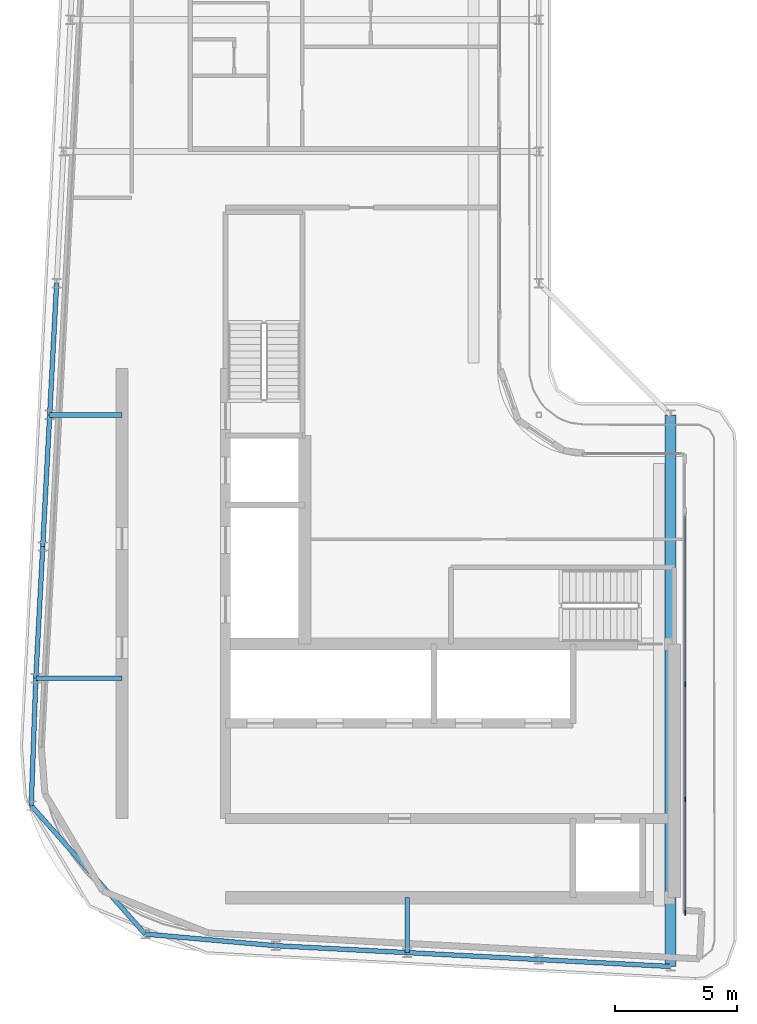
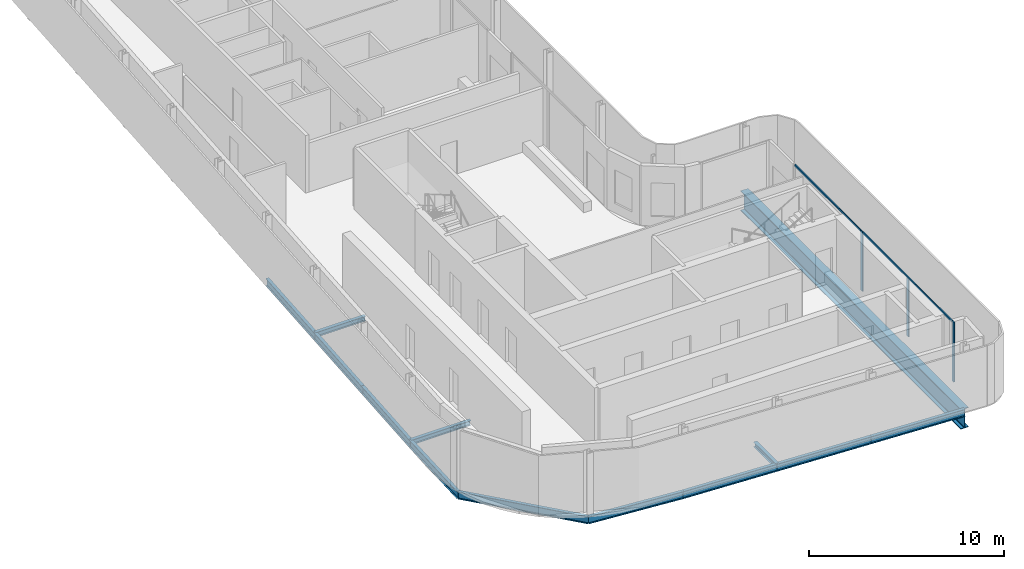
# One storey, part 4 of 17: 13 beams, 5 members, 2 elements without a shape of their own.
"""IFC4 building model written with IfcOpenShell, lengths in metres."""

from ifc_helpers import new_model, si_unit, direction, frame, origin, origin_2d, place, context, subcontext, project, spatial, rectangle, i_section, extrude, material, layer, layer_set, material_profile, profile_set, type_object, element, aggregate, save


model = new_model("IFC4")

# Units and contexts
model_context = context("Model", 3, precision=1e-05, world=origin(), true_north=direction((0.0, 1.0)))
body_context = subcontext(model_context, "Body", "Model", "MODEL_VIEW")
ifc_project = project(units=[si_unit("LENGTHUNIT", "METRE"), si_unit("AREAUNIT", "SQUARE_METRE"), si_unit("VOLUMEUNIT", "CUBIC_METRE"), si_unit("PLANEANGLEUNIT", "RADIAN"), si_unit("MASSUNIT", "GRAM", prefix="KILO")], contexts=[model_context])

# Site, building, storey
site_placement = place(None, origin())
site = spatial("IfcSite", under=ifc_project, at=site_placement, CompositionType="ELEMENT")
building_placement = place(site_placement, origin())
building = spatial("IfcBuilding", under=site, at=building_placement, Name="Kheshtan School and Residences Tower", CompositionType="ELEMENT")
storey_placement = place(building_placement, frame((0.0, 0.0, 346.10009765625)))
storey = spatial("IfcBuildingStorey", under=building, at=storey_placement, Name="L81", CompositionType="ELEMENT", Elevation=346.10009765625)

# Beams
ifc_material_1 = material(Name="Steel ASTM A992 Grade 50", Category="steel")
ifc_material_profile_1 = material_profile(ifc_material_1, i_section(OverallWidth=0.202880859375, OverallDepth=0.302978515625, WebThickness=0.007568359375, FlangeThickness=0.01318359375, FilletRadius=0.009033203125, at=origin_2d()), Name="W310x60")
ifc_profile_set_1 = profile_set([ifc_material_profile_1], Name="Steel ASTM A992 Grade 50")
beam_type_1 = type_object("IfcBeamType", Name="Beam FB1 W310x60 ASTM A992 Grade 50", PredefinedType="BEAM", material=ifc_profile_set_1)
beam_1_placement = place(storey_placement, frame((42.199951171875, 23.548095703125, -0.301513671875), z_axis=(0.0, 1.0, 0.0), x_axis=(-1.0, 0.0, 0.0)))
element("IfcBeam", 1, at=beam_1_placement, inside=storey, type_object=beam_type_1, Name="Floor beam C021", PredefinedType="BEAM", context=body_context, shape_type="SweptSolid", body=[
    extrude(i_section(OverallWidth=0.202880859375, OverallDepth=0.302978515625, WebThickness=0.007568359375, FlangeThickness=0.01318359375, FilletRadius=0.009033203125, at=origin_2d()), origin(), (0.0, 0.0, 1.0), 2.251953125),
])
beam_2_placement = place(storey_placement, frame((26.968994140625, 34.800048828125, -0.301513671875), z_axis=(1.0, 0.0, 0.0), x_axis=(0.0, 1.0, 0.0)))
element("IfcBeam", 2, at=beam_2_placement, inside=storey, type_object=beam_type_1, Name="Floor beam C052", PredefinedType="BEAM", context=body_context, shape_type="SweptSolid", body=[
    extrude(i_section(OverallWidth=0.202880859375, OverallDepth=0.302978515625, WebThickness=0.007568359375, FlangeThickness=0.01318359375, FilletRadius=0.009033203125, at=origin_2d()), origin(), (0.0, 0.0, 1.0), 3.531005859375),
])
beam_3_placement = place(storey_placement, frame((27.537109375, 45.60009765625, -0.301513671875), z_axis=(1.0, 0.0, 0.0), x_axis=(0.0, 1.0, 0.0)))
element("IfcBeam", 3, at=beam_3_placement, inside=storey, type_object=beam_type_1, Name="Floor beam C059", PredefinedType="BEAM", context=body_context, shape_type="SweptSolid", body=[
    extrude(i_section(OverallWidth=0.202880859375, OverallDepth=0.302978515625, WebThickness=0.007568359375, FlangeThickness=0.01318359375, FilletRadius=0.009033203125, at=origin_2d()), origin(), (0.0, 0.0, 1.0), 2.962890625),
])
ifc_material_profile_2 = material_profile(ifc_material_1, i_section(OverallWidth=0.18994140625, OverallDepth=0.45703125, WebThickness=0.009033203125, FlangeThickness=0.014404296875, FilletRadius=0.01318359375, at=origin_2d()), Name="W460x74")
ifc_profile_set_2 = profile_set([ifc_material_profile_2], Name="Steel ASTM A992 Grade 50")
beam_type_2 = type_object("IfcBeamType", Name="Beam SP4 W460x74 ASTM A992 Grade 50", PredefinedType="BEAM", material=ifc_profile_set_2)
beam_4_placement = place(storey_placement, frame((53.0, 22.97998046875, -0.378662109375), z_axis=(-0.998620447272, 0.05250906864, 0.0), x_axis=(-0.05250906864, -0.998620447272, 0.0)))
element("IfcBeam", 4, at=beam_4_placement, inside=storey, type_object=beam_type_2, Name="Spandrel beam C019-C020", PredefinedType="BEAM", context=body_context, shape_type="SweptSolid", body=[
    extrude(i_section(OverallWidth=0.18994140625, OverallDepth=0.45703125, WebThickness=0.009033203125, FlangeThickness=0.014404296875, FilletRadius=0.01318359375, at=origin_2d()), origin(), (0.0, 0.0, 1.0), 5.407470703125),
])
beam_5_placement = place(storey_placement, frame((47.60009765625, 23.263916015625, -0.378662109375), z_axis=(-0.998618203458, 0.052551724256, 0.0), x_axis=(-0.052551724256, -0.998618203458, 0.0)))
element("IfcBeam", 5, at=beam_5_placement, inside=storey, type_object=beam_type_2, Name="Spandrel beam C020-C021", PredefinedType="BEAM", context=body_context, shape_type="SweptSolid", body=[
    extrude(i_section(OverallWidth=0.18994140625, OverallDepth=0.45703125, WebThickness=0.009033203125, FlangeThickness=0.014404296875, FilletRadius=0.01318359375, at=origin_2d()), origin(), (0.0, 0.0, 1.0), 5.40771484375),
])
beam_6_placement = place(storey_placement, frame((42.199951171875, 23.548095703125, -0.378662109375), z_axis=(-0.998620447272, 0.05250906864, 0.0), x_axis=(-0.05250906864, -0.998620447272, 0.0)))
element("IfcBeam", 6, at=beam_6_placement, inside=storey, type_object=beam_type_2, Name="Spandrel beam C021-C022", PredefinedType="BEAM", context=body_context, shape_type="SweptSolid", body=[
    extrude(i_section(OverallWidth=0.18994140625, OverallDepth=0.45703125, WebThickness=0.009033203125, FlangeThickness=0.014404296875, FilletRadius=0.01318359375, at=origin_2d()), origin(), (0.0, 0.0, 1.0), 5.407470703125),
])
beam_7_placement = place(storey_placement, frame((36.800048828125, 23.83203125, -0.378662109375), z_axis=(-0.996058185284, 0.088702263383, 0.0), x_axis=(-0.088702263383, -0.996058185284, 0.0)))
element("IfcBeam", 7, at=beam_7_placement, inside=storey, type_object=beam_type_2, Name="Spandrel beam C022-C033", PredefinedType="BEAM", context=body_context, shape_type="SweptSolid", body=[
    extrude(i_section(OverallWidth=0.18994140625, OverallDepth=0.45703125, WebThickness=0.009033203125, FlangeThickness=0.014404296875, FilletRadius=0.01318359375, at=origin_2d()), origin(), (0.0, 0.0, 1.0), 5.3671875),
])
beam_8_placement = place(storey_placement, frame((31.4541015625, 24.30810546875, -0.378662109375), z_axis=(-0.663616789084, 0.748072695161, 0.0), x_axis=(-0.748072695161, -0.663616789084, 0.0)))
element("IfcBeam", 8, at=beam_8_placement, inside=storey, type_object=beam_type_2, Name="Spandrel beam C033-C046", PredefinedType="BEAM", context=body_context, shape_type="SweptSolid", body=[
    extrude(i_section(OverallWidth=0.18994140625, OverallDepth=0.45703125, WebThickness=0.009033203125, FlangeThickness=0.014404296875, FilletRadius=0.01318359375, at=origin_2d()), origin(), (0.0, 0.0, 1.0), 7.041748046875),
])
beam_9_placement = place(storey_placement, frame((26.781005859375, 29.575927734375, -0.378662109375), z_axis=(0.035961395853, 0.999353179816, 0.0), x_axis=(-0.999353179816, 0.035961395853, 0.0)))
element("IfcBeam", 9, at=beam_9_placement, inside=storey, type_object=beam_type_2, Name="Spandrel beam C046-C052", PredefinedType="BEAM", context=body_context, shape_type="SweptSolid", body=[
    extrude(i_section(OverallWidth=0.18994140625, OverallDepth=0.45703125, WebThickness=0.009033203125, FlangeThickness=0.014404296875, FilletRadius=0.01318359375, at=origin_2d()), origin(), (0.0, 0.0, 1.0), 5.2275390625),
])
beam_10_placement = place(storey_placement, frame((26.968994140625, 34.800048828125, -0.378662109375), z_axis=(0.05250906864, 0.998620447272, 0.0), x_axis=(-0.998620447272, 0.05250906864, 0.0)))
element("IfcBeam", 10, at=beam_10_placement, inside=storey, type_object=beam_type_2, Name="Spandrel beam C052-C056", PredefinedType="BEAM", context=body_context, shape_type="SweptSolid", body=[
    extrude(i_section(OverallWidth=0.18994140625, OverallDepth=0.45703125, WebThickness=0.009033203125, FlangeThickness=0.014404296875, FilletRadius=0.01318359375, at=origin_2d()), origin(), (0.0, 0.0, 1.0), 5.407470703125),
])
beam_11_placement = place(storey_placement, frame((27.2529296875, 40.199951171875, -0.378662109375), z_axis=(0.052551724256, 0.998618203458, 0.0), x_axis=(-0.998618203458, 0.052551724256, 0.0)))
element("IfcBeam", 11, at=beam_11_placement, inside=storey, type_object=beam_type_2, Name="Spandrel beam C056-C059", PredefinedType="BEAM", context=body_context, shape_type="SweptSolid", body=[
    extrude(i_section(OverallWidth=0.18994140625, OverallDepth=0.45703125, WebThickness=0.009033203125, FlangeThickness=0.014404296875, FilletRadius=0.01318359375, at=origin_2d()), origin(), (0.0, 0.0, 1.0), 5.40771484375),
])
beam_12_placement = place(storey_placement, frame((27.537109375, 45.60009765625, -0.378662109375), z_axis=(0.052689166816, 0.998610961136, 0.0), x_axis=(-0.998610961136, 0.052689166816, 0.0)))
element("IfcBeam", 12, at=beam_12_placement, inside=storey, type_object=beam_type_2, Name="Spandrel beam C059-C078", PredefinedType="BEAM", context=body_context, shape_type="SweptSolid", body=[
    extrude(i_section(OverallWidth=0.18994140625, OverallDepth=0.45703125, WebThickness=0.009033203125, FlangeThickness=0.014404296875, FilletRadius=0.01318359375, at=origin_2d()), origin(), (0.0, 0.0, 1.0), 5.407470703125),
])

# Curtain wall, member
ifc_material_2 = material(Name="Clear low-e glass in thermally broken aluminium frame", Category="aluminium")
ifc_layer = layer(ifc_material_2, 0.199951171875)
ifc_layer_set = layer_set([ifc_layer], Name="Curtain wall CW-L")
curtain_wall_type = type_object("IfcCurtainWallType", Name="Curtain wall CW-L", PredefinedType="NOTDEFINED", material=ifc_layer_set)
curtain_wall_1_placement = place(storey_placement, origin())
curtain_wall_1 = element("IfcCurtainWall", 13, at=curtain_wall_1_placement, inside=storey, type_object=curtain_wall_type, Name="Curtain wall CWL9e", PredefinedType="NOTDEFINED")
ifc_material_3 = material(Name="Thermally broken aluminium, dark bronze anodised", Category="aluminium")
ifc_material_profile_3 = material_profile(ifc_material_3, rectangle(XDim=0.06005859375, YDim=0.199951171875, at=origin_2d()), Name="CW-L mullion 60x200")
ifc_profile_set_3 = profile_set([ifc_material_profile_3], Name="Thermally broken aluminium, dark bronze anodised")
member_type_1 = type_object("IfcMemberType", Name="CW-L mullion 60x200", PredefinedType="MULLION", material=ifc_profile_set_3)
member_1_placement = place(storey_placement, frame((53.60009765625, 34.55810546875, 0.0), z_axis=(0.0, 0.0, 1.0), x_axis=(1.0, 0.0, 0.0)))
member_1 = element("IfcMember", 14, at=member_1_placement, type_object=member_type_1, Name="CWL9e mullion 2", PredefinedType="MULLION", context=body_context, shape_type="SweptSolid", body=[
    extrude(rectangle(XDim=0.06005859375, YDim=0.199951171875, at=origin_2d()), origin(), (0.0, 0.0, 1.0), 3.75),
])

# Curtain wall, members
curtain_wall_2_placement = place(storey_placement, origin())
curtain_wall_2 = element("IfcCurtainWall", 15, at=curtain_wall_2_placement, inside=storey, type_object=curtain_wall_type, Name="Curtain wall CWL9d", PredefinedType="NOTDEFINED")
member_2_placement = place(storey_placement, frame((53.60009765625, 29.842041015625, 0.0), z_axis=(0.0, 0.0, 1.0), x_axis=(1.0, 0.0, 0.0)))
member_2 = element("IfcMember", 16, at=member_2_placement, type_object=member_type_1, Name="CWL9d mullion 2", PredefinedType="MULLION", context=body_context, shape_type="SweptSolid", body=[
    extrude(rectangle(XDim=0.06005859375, YDim=0.199951171875, at=origin_2d()), origin(), (0.0, 0.0, 1.0), 3.6298828125),
])
member_3_placement = place(storey_placement, frame((53.60009765625, 25.18603515625, 0.0), z_axis=(0.0, 0.0, 1.0), x_axis=(1.0, 0.0, 0.0)))
member_3 = element("IfcMember", 17, at=member_3_placement, type_object=member_type_1, Name="CWL9d mullion 3", PredefinedType="MULLION", context=body_context, shape_type="SweptSolid", body=[
    extrude(rectangle(XDim=0.06005859375, YDim=0.199951171875, at=origin_2d()), origin(), (0.0, 0.0, 1.0), 3.75),
])

# Member
ifc_material_profile_4 = material_profile(ifc_material_3, rectangle(XDim=0.06005859375, YDim=0.1201171875, at=origin_2d()), Name="CW-L transom 60x120")
ifc_profile_set_4 = profile_set([ifc_material_profile_4], Name="Thermally broken aluminium, dark bronze anodised")
member_type_2 = type_object("IfcMemberType", Name="CW-L transom 60x120", PredefinedType="USERDEFINED", material=ifc_profile_set_4)
member_4_placement = place(storey_placement, frame((53.60009765625, 41.43994140625, 3.68994140625), z_axis=(0.0, -1.0, 0.0), x_axis=(1.0, 0.0, 0.0)))
member_4 = element("IfcMember", 18, at=member_4_placement, type_object=member_type_2, Name="CWL9e transom 1", ObjectType="TRANSOM", PredefinedType="USERDEFINED", context=body_context, shape_type="SweptSolid", body=[
    extrude(rectangle(XDim=0.06005859375, YDim=0.1201171875, at=origin_2d()), origin(), (0.0, 0.0, 1.0), 6.85205078125),
])

aggregate(curtain_wall_1, [member_1, member_4])

member_5_placement = place(storey_placement, frame((53.60009765625, 34.528076171875, 3.68994140625), z_axis=(0.0, -1.0, 0.0), x_axis=(1.0, 0.0, 0.0)))
member_5 = element("IfcMember", 19, at=member_5_placement, type_object=member_type_2, Name="CWL9d transom 1", ObjectType="TRANSOM", PredefinedType="USERDEFINED", context=body_context, shape_type="SweptSolid", body=[
    extrude(rectangle(XDim=0.06005859375, YDim=0.1201171875, at=origin_2d()), origin(), (0.0, 0.0, 1.0), 9.31201171875),
])

aggregate(curtain_wall_2, [member_2, member_3, member_5])

# Beam
ifc_material_profile_5 = material_profile(ifc_material_1, i_section(OverallWidth=0.449951171875, OverallDepth=1.25, WebThickness=0.02490234375, FlangeThickness=0.044921875, FilletRadius=0.03759765625, at=origin_2d()), Name="WWF1250x546")
ifc_profile_set_5 = profile_set([ifc_material_profile_5], Name="Steel ASTM A992 Grade 50")
beam_type_3 = type_object("IfcBeamType", Name="Transfer girder TG4 WWF1250x546 ASTM A992 Grade 50", PredefinedType="BEAM", material=ifc_profile_set_5)
beam_13_placement = place(storey_placement, frame((53.0, 45.60009765625, -0.775146484375), z_axis=(0.0, -1.0, 0.0), x_axis=(1.0, 0.0, 0.0)))
element("IfcBeam", 20, at=beam_13_placement, inside=storey, type_object=beam_type_3, Name="Transfer girder C061-C019", PredefinedType="BEAM", context=body_context, shape_type="SweptSolid", body=[
    extrude(i_section(OverallWidth=0.449951171875, OverallDepth=1.25, WebThickness=0.02490234375, FlangeThickness=0.044921875, FilletRadius=0.03759765625, at=origin_2d()), origin(), (0.0, 0.0, 1.0), 22.6201171875),
])

save(model, "model.ifc")
